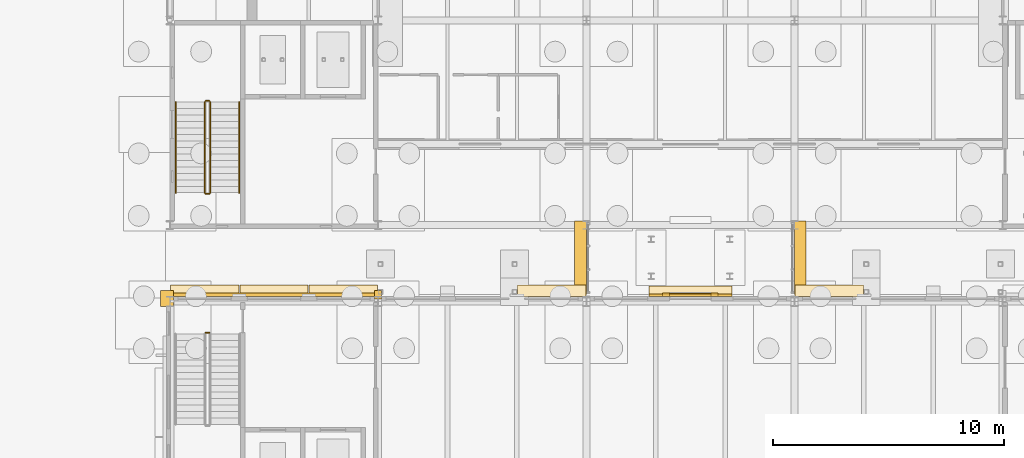
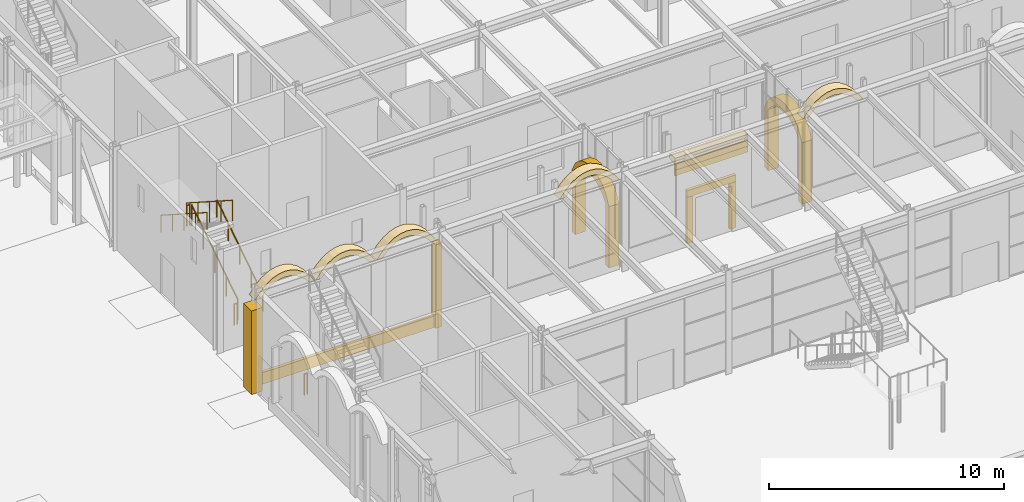
# One storey, part 112 of 126: 16 coverings, 7 railings.
"""IFC4 building model written with IfcOpenShell, lengths in metres."""

from ifc_helpers import new_model, si_unit, direction, frame, origin, origin_2d, place, context, subcontext, project, spatial, polyline, rectangle, circle, outline, extrude, material, layer, layer_set, type_object, element, save


model = new_model("IFC4")

# Units and contexts
model_context = context("Model", 3, precision=1e-05, world=origin(), true_north=direction((0.0, 1.0)))
body_context = subcontext(model_context, "Body", "Model", "MODEL_VIEW")
ifc_project = project(units=[si_unit("LENGTHUNIT", "METRE"), si_unit("AREAUNIT", "SQUARE_METRE"), si_unit("VOLUMEUNIT", "CUBIC_METRE"), si_unit("PLANEANGLEUNIT", "RADIAN"), si_unit("MASSUNIT", "GRAM", prefix="KILO")], contexts=[model_context])

# Site, building, storey
site_placement = place(None, origin())
site = spatial("IfcSite", under=ifc_project, at=site_placement, CompositionType="ELEMENT")
building_placement = place(site_placement, origin())
building = spatial("IfcBuilding", under=site, at=building_placement, Name="Kallimachos Central Library", CompositionType="ELEMENT")
storey_placement = place(building_placement, origin())
storey = spatial("IfcBuildingStorey", under=building, at=storey_placement, Name="L00", CompositionType="ELEMENT", Elevation=0.0)

# Coverings
ifc_material_1 = material(Name="Glazed ceramic frieze, green")
ifc_layer_1 = layer(ifc_material_1, 0.10009765625)
ifc_layer_set_1 = layer_set([ifc_layer_1], Name="Glazed ceramic frieze, green")
covering_type_1 = type_object("IfcCoveringType", Name="Glazed ceramic frieze, green", PredefinedType="CLADDING", material=ifc_layer_set_1)
covering_1_placement = place(storey_placement, frame((88.0, 84.115966796875, 4.02978515625), z_axis=(0.0, 0.0, 1.0), x_axis=(1.0, 0.0, 0.0)))
element("IfcCovering", 1, at=covering_1_placement, inside=storey, type_object=covering_type_1, Name="Glazed ceramic frieze, green -L00-022", PredefinedType="CLADDING", context=body_context, shape_type="SweptSolid", body=[
    extrude(rectangle(XDim=3.60009765625, YDim=0.10009765625, at=origin_2d()), origin(), (0.0, 0.0, 1.0), 0.300048828125),
])
ifc_material_2 = material(Name="Glazed ceramic frieze, ochre")
ifc_layer_2 = layer(ifc_material_2, 0.10009765625)
ifc_layer_set_2 = layer_set([ifc_layer_2], Name="Glazed ceramic frieze, ochre")
covering_type_2 = type_object("IfcCoveringType", Name="Glazed ceramic frieze, ochre", PredefinedType="CLADDING", material=ifc_layer_set_2)
covering_2_placement = place(storey_placement, frame((88.0, 84.115966796875, 3.72998046875), z_axis=(0.0, 0.0, 1.0), x_axis=(1.0, 0.0, 0.0)))
element("IfcCovering", 2, at=covering_2_placement, inside=storey, type_object=covering_type_2, Name="Glazed ceramic frieze, ochre -L00-022", PredefinedType="CLADDING", context=body_context, shape_type="SweptSolid", body=[
    extrude(rectangle(XDim=3.60009765625, YDim=0.10009765625, at=origin_2d()), origin(), (0.0, 0.0, 1.0), 0.300048828125),
])

# Railing
ifc_material_3 = material(Name="Wrought iron")
railing_type_1 = type_object("IfcRailingType", Name="Stair guard", PredefinedType="GUARDRAIL", material=ifc_material_3)
railing_1_placement = place(storey_placement, frame((67.050048828125, 82.5, 0.0)))
element("IfcRailing", 3, at=railing_1_placement, inside=storey, type_object=railing_type_1, Name="L00 ST9 stair guard 4", PredefinedType="GUARDRAIL", context=body_context, shape_type="SweptSolid", body=[
    extrude(circle(Radius=0.02392578125, at=origin_2d()), frame((0.0, 0.0, 1.076171875), z_axis=(1.0, 0.0, 0.0), x_axis=(0.0, 1.0, 0.0)), (0.0, 0.0, 1.0), 0.14990234375),
    extrude(circle(Radius=0.02099609375, at=origin_2d()), origin(), (0.0, 0.0, 1.0), 1.052001953125),
    extrude(circle(Radius=0.02099609375, at=origin_2d()), frame((0.14990234375, 0.0, 0.0)), (0.0, 0.0, 1.0), 1.052001953125),
])

# Coverings
ifc_material_4 = material(Name="Pentelic marble arch ring", Category="masonry")
ifc_layer_3 = layer(ifc_material_4, 0.5)
ifc_layer_set_3 = layer_set([ifc_layer_3], Name="Stone arcade arch 500")
covering_type_3 = type_object("IfcCoveringType", Name="Stone arcade arch 500", PredefinedType="MOLDING", material=ifc_layer_set_3)
for number, where, z_axis, x_axis, name in (
    (4, (65.52001953125, 84.56591796875, 4.5), (0.0, 1.0, 0.0), (0.607673405972, 0.0, 0.794187025627), "Arcade arch 11"),
    (5, (68.52001953125, 84.56591796875, 4.5), (0.0, 1.0, 0.0), (0.607673405972, 0.0, 0.794187025627), "Arcade arch 12"),
    (6, (71.52001953125, 84.56591796875, 4.5), (0.0, 1.0, 0.0), (0.607673405972, 0.0, 0.794187025627), "Arcade arch 13"),
    (7, (80.52001953125, 84.56591796875, 4.5), (0.0, 1.0, 0.0), (0.607673405972, 0.0, 0.794187025627), "Arcade arch 14"),
    (8, (92.52001953125, 84.56591796875, 4.5), (0.0, 1.0, 0.0), (0.607673405972, 0.0, 0.794187025627), "Arcade arch 15"),
):
    element("IfcCovering", number, at=place(storey_placement, frame(where, z_axis=z_axis, x_axis=x_axis)), inside=storey, type_object=covering_type_3, Name=name, PredefinedType="MOLDING", context=body_context, shape_type="SweptSolid", body=[
        extrude(outline(polyline([(0.0, 0.0), (0.4869366251541405, 2.7755575615628914e-17), (0.8889024419966925, 0.06532295220883794), (1.218591587223228, 0.18564109972920229), (1.4854137622537693, 0.3543694142335939), (1.6935317978445363, 0.5677078804904176), (1.8450329849286935, 0.8243668141651777), (1.9381267481033357, 1.1260236862259767), (1.9680568255517241, 1.4757029386371963), (1.926006946914356, 1.8807651729935488), (1.7986895444351394, 2.3507625729251327), (1.7986895444351394, 2.3507625729251327), (1.6285231878311222, 2.1283669385515656), (1.6285231878311222, 2.1283669385515656), (1.6944190066577884, 1.775763128611894), (1.7042796569282552, 1.4660347127947693), (1.6646975114138403, 1.1941375270857737), (1.580713796351433, 0.9562142695915296), (1.4552369114930856, 0.7500395738350882), (1.289042430106012, 0.57502000875593), (1.0813547789229982, 0.4317490054145742), (0.8292655581919923, 0.32245193028797), (0.5277335416761045, 0.2509860852694953), (0.17016635660401722, 0.22239563437356707), (0.17016635660401722, 0.22239563437356707), (0.0, 0.0), (0.0, 0.0)])), origin(), (0.0, 0.0, -1.0), 0.5),
    ])
ifc_material_5 = material(Name="Pentelic marble cornice", Category="masonry")
ifc_layer_4 = layer(ifc_material_5, 0.449951171875)
ifc_layer_set_4 = layer_set([ifc_layer_4], Name="Stone cornice 450")
covering_type_4 = type_object("IfcCoveringType", Name="Stone cornice 450", PredefinedType="MOLDING", material=ifc_layer_set_4)
covering_3_placement = place(storey_placement, frame((88.0, 84.291015625, 4.35009765625), z_axis=(0.0, 0.0, 1.0), x_axis=(1.0, 0.0, 0.0)))
element("IfcCovering", 9, at=covering_3_placement, inside=storey, type_object=covering_type_4, Name="Stone cornice 450 -L00-022", PredefinedType="MOLDING", context=body_context, shape_type="SweptSolid", body=[
    extrude(rectangle(XDim=3.60009765625, YDim=0.449951171875, at=origin_2d()), origin(), (0.0, 0.0, 1.0), 0.300048828125),
])
ifc_material_6 = material(Name="Pentelic marble door surround", Category="masonry")
ifc_layer_5 = layer(ifc_material_6, 0.14990234375)
ifc_layer_set_5 = layer_set([ifc_layer_5], Name="Stone door surround 300")
covering_type_5 = type_object("IfcCoveringType", Name="Stone door surround 300", PredefinedType="MOLDING", material=ifc_layer_set_5)
for number, where, z_axis, x_axis, name in (
    (10, (86.949951171875, 84.14111328125, 0.0), (0.0, 0.0, 1.0), (1.0, 0.0, 0.0), "Stone door surround 300 -L00-008"),
    (11, (89.050048828125, 84.14111328125, 0.0), (0.0, 0.0, 1.0), (1.0, 0.0, 0.0), "Stone door surround 300 -L00-008"),
):
    element("IfcCovering", number, at=place(storey_placement, frame(where, z_axis=z_axis, x_axis=x_axis)), inside=storey, type_object=covering_type_5, Name=name, PredefinedType="MOLDING", context=body_context, shape_type="SweptSolid", body=[
        extrude(rectangle(XDim=0.300048828125, YDim=0.14990234375, at=origin_2d()), origin(), (0.0, 0.0, 1.0), 2.39990234375),
    ])
covering_4_placement = place(storey_placement, frame((88.0, 84.14111328125, 2.39990234375), z_axis=(0.0, 0.0, 1.0), x_axis=(1.0, 0.0, 0.0)))
element("IfcCovering", 12, at=covering_4_placement, inside=storey, type_object=covering_type_5, Name="Stone door surround 300 -L00-008", PredefinedType="MOLDING", context=body_context, shape_type="SweptSolid", body=[
    extrude(rectangle(XDim=2.39990234375, YDim=0.14990234375, at=origin_2d()), origin(), (0.0, 0.0, 1.0), 0.35009765625),
])
ifc_material_7 = material(Name="Pentelic marble arch ring", Category="masonry")
ifc_layer_6 = layer(ifc_material_7, 0.5)
ifc_layer_set_6 = layer_set([ifc_layer_6], Name="Stone link portal 500")
covering_type_6 = type_object("IfcCoveringType", Name="Stone link portal 500", PredefinedType="MOLDING", material=ifc_layer_set_6)
covering_5_placement = place(storey_placement, frame((83.0, 84.14990234375, 0.0), z_axis=(-1.0, 0.0, 0.0), x_axis=(0.0, 0.0, 1.0)))
element("IfcCovering", 13, at=covering_5_placement, inside=storey, type_object=covering_type_6, Name="Reading Link portal west", PredefinedType="MOLDING", context=body_context, shape_type="SweptSolid", body=[
    extrude(outline(polyline([(0.0, 0.0), (3.199951171875, 0.0), (3.764892578125, 0.317626953125), (4.052001953125, 0.635009765625), (4.224609375, 0.95263671875), (4.319580078125, 1.27001953125), (4.35009765625, 1.587646484375), (4.319580078125, 1.905029296875), (4.224609375, 2.22265625), (4.052001953125, 2.5400390625), (3.764892578125, 2.857666015625), (3.199951171875, 3.175048828125), (0.0, 3.175048828125), (0.0, 2.875), (3.199951171875, 2.875), (3.502685546875, 2.61767578125), (3.69140625, 2.360107421875), (3.81103515625, 2.1025390625), (3.878173828125, 1.84521484375), (3.89990234375, 1.587646484375), (3.878173828125, 1.330078125), (3.81103515625, 1.072509765625), (3.69140625, 0.815185546875), (3.502685546875, 0.5576171875), (3.199951171875, 0.300048828125), (0.0, 0.300048828125), (0.0, 0.0)])), origin(), (0.0, 0.0, -1.0), 0.5),
])
covering_6_placement = place(storey_placement, frame((93.0, 84.449951171875, 0.0), z_axis=(1.0, 0.0, 0.0), x_axis=(0.0, 0.0, 1.0)))
element("IfcCovering", 14, at=covering_6_placement, inside=storey, type_object=covering_type_6, Name="Reading Link portal east", PredefinedType="MOLDING", context=body_context, shape_type="SweptSolid", body=[
    extrude(outline(polyline([(0.0, 0.0), (3.199951171875, 0.0), (3.502685546875, -0.257568359375), (3.69140625, -0.51513671875), (3.81103515625, -0.7724609375), (3.878173828125, -1.030029296875), (3.89990234375, -1.28759765625), (3.878173828125, -1.545166015625), (3.81103515625, -1.802490234375), (3.69140625, -2.06005859375), (3.502685546875, -2.317626953125), (3.199951171875, -2.574951171875), (0.0, -2.574951171875), (0.0, -2.875), (3.199951171875, -2.875), (3.764892578125, -2.5576171875), (4.052001953125, -2.239990234375), (4.224609375, -1.922607421875), (4.319580078125, -1.60498046875), (4.35009765625, -1.28759765625), (4.319580078125, -0.969970703125), (4.224609375, -0.652587890625), (4.052001953125, -0.3349609375), (3.764892578125, -0.017578125), (3.199951171875, 0.300048828125), (0.0, 0.300048828125), (0.0, 0.0)])), origin(), (0.0, 0.0, -1.0), 0.5),
])
ifc_material_8 = material(Name="Pentelic marble pilaster", Category="masonry")
ifc_layer_7 = layer(ifc_material_8, 0.25)
ifc_layer_set_7 = layer_set([ifc_layer_7], Name="Stone pilaster 250")
covering_type_7 = type_object("IfcCoveringType", Name="Stone pilaster 250", PredefinedType="CLADDING", material=ifc_layer_set_7)
covering_7_placement = place(storey_placement, frame((74.5, 84.14111328125, 0.0), z_axis=(0.0, 0.0, 1.0), x_axis=(1.0, 0.0, 0.0)))
element("IfcCovering", 15, at=covering_7_placement, inside=storey, type_object=covering_type_7, Name="Stone pilaster 250 -L00-020", PredefinedType="CLADDING", context=body_context, shape_type="SweptSolid", body=[
    extrude(rectangle(XDim=0.306884765625, YDim=0.35009765625, at=origin_2d()), origin(), (0.0, 0.0, 1.0), 4.35009765625),
])
covering_8_placement = place(storey_placement, frame((65.375, 83.97509765625, 0.0), z_axis=(0.0, 0.0, 1.0), x_axis=(1.0, 0.0, 0.0)))
element("IfcCovering", 16, at=covering_8_placement, inside=storey, type_object=covering_type_7, Name="Stone pilaster 250 corner", PredefinedType="CLADDING", context=body_context, shape_type="SweptSolid", body=[
    extrude(rectangle(XDim=0.556884765625, YDim=0.681884765625, at=origin_2d()), origin(), (0.0, 0.0, 1.0), 4.35009765625),
])
ifc_material_9 = material(Name="Pentelic marble plinth course", Category="masonry")
ifc_layer_8 = layer(ifc_material_9, 0.14990234375)
ifc_layer_set_8 = layer_set([ifc_layer_8], Name="Stone plinth course 600")
covering_type_8 = type_object("IfcCoveringType", Name="Stone plinth course 600", PredefinedType="CLADDING", material=ifc_layer_set_8)
covering_9_placement = place(storey_placement, frame((70.0, 84.14111328125, 0.0), z_axis=(0.0, 0.0, 1.0), x_axis=(1.0, 0.0, 0.0)))
element("IfcCovering", 17, at=covering_9_placement, inside=storey, type_object=covering_type_8, Name="Stone plinth course 600 -L00-020", PredefinedType="CLADDING", context=body_context, shape_type="SweptSolid", body=[
    extrude(rectangle(XDim=8.693115234375, YDim=0.14990234375, at=origin_2d()), origin(), (0.0, 0.0, 1.0), 0.60009765625),
])

# Railings
ifc_material_10 = material(Name="Wrought iron")
railing_type_2 = type_object("IfcRailingType", Name="Wrought-iron handrail 900", PredefinedType="HANDRAIL", material=ifc_material_10)
railing_2_placement = place(storey_placement, frame((68.5, 88.550048828125, 0.179931640625)))
element("IfcRailing", 18, at=railing_2_placement, inside=storey, type_object=railing_type_2, Name="L00 ST1 stair handrail 1", PredefinedType="HANDRAIL", context=body_context, shape_type="SweptSolid", body=[
    extrude(circle(Radius=0.02392578125, at=origin_2d()), frame((0.0, 0.0, 0.8759765625), z_axis=(0.0, 0.841171666519, 0.540768182723), x_axis=(-1.0, 0.0, 0.0)), (0.0, 0.0, 1.0), 4.66015625),
    extrude(circle(Radius=0.02099609375, at=origin_2d()), origin(), (0.0, 0.0, 1.0), 0.851806640625),
    extrude(circle(Radius=0.02099609375, at=origin_2d()), frame((0.0, 0.97998046875, 0.6298828125)), (0.0, 0.0, 1.0), 0.851806640625),
    extrude(circle(Radius=0.02099609375, at=origin_2d()), frame((0.0, 1.9599609375, 1.260009765625)), (0.0, 0.0, 1.0), 0.851806640625),
    extrude(circle(Radius=0.02099609375, at=origin_2d()), frame((0.0, 2.93994140625, 1.89013671875)), (0.0, 0.0, 1.0), 0.851806640625),
    extrude(circle(Radius=0.02099609375, at=origin_2d()), frame((0.0, 3.919921875, 2.52001953125)), (0.0, 0.0, 1.0), 0.851806640625),
])
railing_3_placement = place(storey_placement, frame((65.75, 92.469970703125, 2.8798828125)))
element("IfcRailing", 19, at=railing_3_placement, inside=storey, type_object=railing_type_2, Name="L00 ST1 stair handrail 2", PredefinedType="HANDRAIL", context=body_context, shape_type="SweptSolid", body=[
    extrude(circle(Radius=0.02392578125, at=origin_2d()), frame((0.0, 0.0, 0.8759765625), z_axis=(0.0, -0.841171666519, 0.540768182723), x_axis=(1.0, 0.0, 0.0)), (0.0, 0.0, 1.0), 4.66015625),
    extrude(circle(Radius=0.02099609375, at=origin_2d()), origin(), (0.0, 0.0, 1.0), 0.851806640625),
    extrude(circle(Radius=0.02099609375, at=origin_2d()), frame((0.0, -0.97998046875, 0.6298828125)), (0.0, 0.0, 1.0), 0.851806640625),
    extrude(circle(Radius=0.02099609375, at=origin_2d()), frame((0.0, -1.9599609375, 1.260009765625)), (0.0, 0.0, 1.0), 0.851806640625),
    extrude(circle(Radius=0.02099609375, at=origin_2d()), frame((0.0, -2.93994140625, 1.89013671875)), (0.0, 0.0, 1.0), 0.851806640625),
    extrude(circle(Radius=0.02099609375, at=origin_2d()), frame((0.0, -3.919921875, 2.52001953125)), (0.0, 0.0, 1.0), 0.851806640625),
])
ifc_material_11 = material(Name="Wrought iron")
railing_type_3 = type_object("IfcRailingType", Name="Wrought-iron stair guard 1100", PredefinedType="GUARDRAIL", material=ifc_material_11)
railing_4_placement = place(storey_placement, frame((67.25, 88.550048828125, 0.179931640625)))
element("IfcRailing", 20, at=railing_4_placement, inside=storey, type_object=railing_type_3, Name="L00 ST1 stair guard 1", PredefinedType="GUARDRAIL", context=body_context, shape_type="SweptSolid", body=[
    extrude(circle(Radius=0.02392578125, at=origin_2d()), frame((0.0, 0.0, 1.076171875), z_axis=(0.0, 0.841171666519, 0.540768182723), x_axis=(-1.0, 0.0, 0.0)), (0.0, 0.0, 1.0), 4.66015625),
    extrude(circle(Radius=0.02099609375, at=origin_2d()), origin(), (0.0, 0.0, 1.0), 1.052001953125),
    extrude(circle(Radius=0.02099609375, at=origin_2d()), frame((0.0, 0.97998046875, 0.6298828125)), (0.0, 0.0, 1.0), 1.052001953125),
    extrude(circle(Radius=0.02099609375, at=origin_2d()), frame((0.0, 1.9599609375, 1.260009765625)), (0.0, 0.0, 1.0), 1.052001953125),
    extrude(circle(Radius=0.02099609375, at=origin_2d()), frame((0.0, 2.93994140625, 1.89013671875)), (0.0, 0.0, 1.0), 1.052001953125),
    extrude(circle(Radius=0.02099609375, at=origin_2d()), frame((0.0, 3.919921875, 2.52001953125)), (0.0, 0.0, 1.0), 1.052001953125),
])
railing_5_placement = place(storey_placement, frame((67.199951171875, 92.52001953125, 2.699951171875)))
element("IfcRailing", 21, at=railing_5_placement, inside=storey, type_object=railing_type_3, Name="L00 ST1 stair guard 2", PredefinedType="GUARDRAIL", context=body_context, shape_type="SweptSolid", body=[
    extrude(circle(Radius=0.02392578125, at=origin_2d()), frame((0.0, 0.0, 1.076171875), z_axis=(-1.0, 0.0, 0.0), x_axis=(0.0, -1.0, 0.0)), (0.0, 0.0, 1.0), 0.14990234375),
    extrude(circle(Radius=0.02099609375, at=origin_2d()), origin(), (0.0, 0.0, 1.0), 1.052001953125),
    extrude(circle(Radius=0.02099609375, at=origin_2d()), frame((-0.14990234375, 0.0, 0.0)), (0.0, 0.0, 1.0), 1.052001953125),
])
railing_6_placement = place(storey_placement, frame((67.0, 92.469970703125, 2.8798828125)))
element("IfcRailing", 22, at=railing_6_placement, inside=storey, type_object=railing_type_3, Name="L00 ST1 stair guard 3", PredefinedType="GUARDRAIL", context=body_context, shape_type="SweptSolid", body=[
    extrude(circle(Radius=0.02392578125, at=origin_2d()), frame((0.0, 0.0, 1.076171875), z_axis=(0.0, -0.841171666519, 0.540768182723), x_axis=(1.0, 0.0, 0.0)), (0.0, 0.0, 1.0), 4.66015625),
    extrude(circle(Radius=0.02099609375, at=origin_2d()), origin(), (0.0, 0.0, 1.0), 1.052001953125),
    extrude(circle(Radius=0.02099609375, at=origin_2d()), frame((0.0, -0.97998046875, 0.6298828125)), (0.0, 0.0, 1.0), 1.052001953125),
    extrude(circle(Radius=0.02099609375, at=origin_2d()), frame((0.0, -1.9599609375, 1.260009765625)), (0.0, 0.0, 1.0), 1.052001953125),
    extrude(circle(Radius=0.02099609375, at=origin_2d()), frame((0.0, -2.93994140625, 1.89013671875)), (0.0, 0.0, 1.0), 1.052001953125),
    extrude(circle(Radius=0.02099609375, at=origin_2d()), frame((0.0, -3.919921875, 2.52001953125)), (0.0, 0.0, 1.0), 1.052001953125),
])
railing_7_placement = place(storey_placement, frame((67.199951171875, 88.5, 0.0)))
element("IfcRailing", 23, at=railing_7_placement, inside=storey, type_object=railing_type_3, Name="L00 ST1 stair guard 4", PredefinedType="GUARDRAIL", context=body_context, shape_type="SweptSolid", body=[
    extrude(circle(Radius=0.02392578125, at=origin_2d()), frame((0.0, 0.0, 1.076171875), z_axis=(-1.0, 0.0, 0.0), x_axis=(0.0, -1.0, 0.0)), (0.0, 0.0, 1.0), 0.14990234375),
    extrude(circle(Radius=0.02099609375, at=origin_2d()), origin(), (0.0, 0.0, 1.0), 1.052001953125),
    extrude(circle(Radius=0.02099609375, at=origin_2d()), frame((-0.14990234375, 0.0, 0.0)), (0.0, 0.0, 1.0), 1.052001953125),
])

save(model, "model.ifc")
